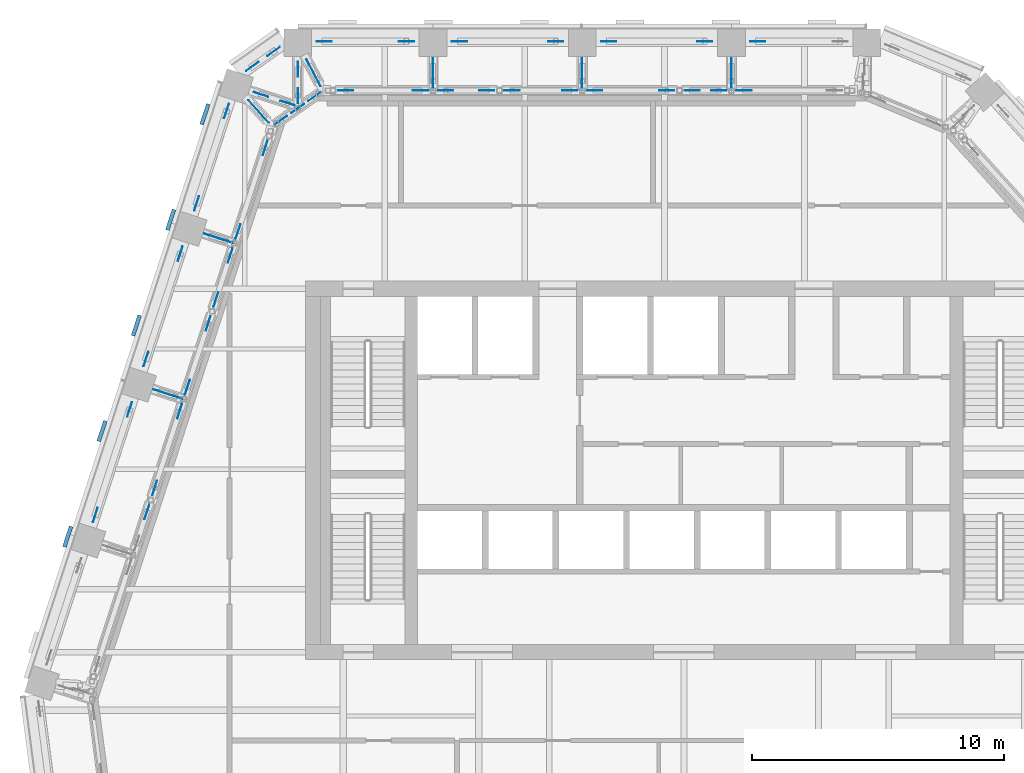
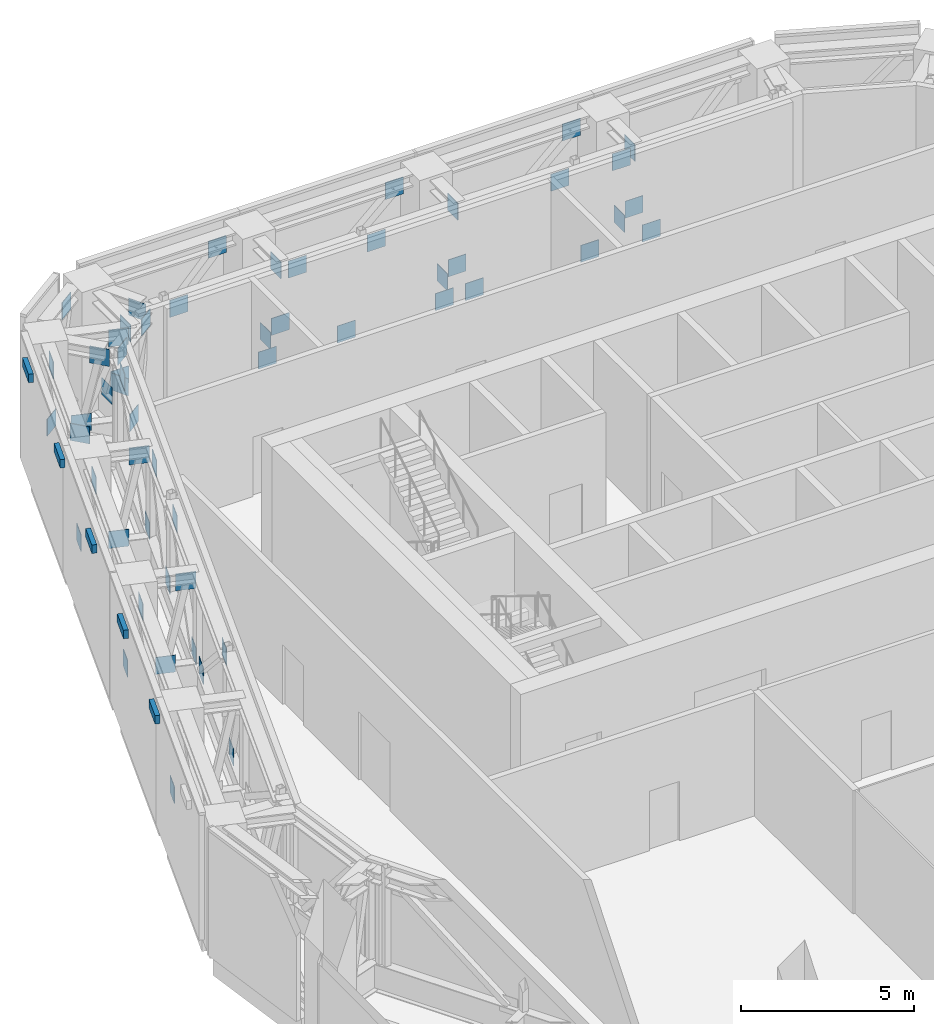
# One storey, part 22 of 25: 61 discrete accessories.
"""IFC4 building model written with IfcOpenShell, lengths in metres."""

from ifc_helpers import new_model, si_unit, direction, frame, origin, origin_2d, place, context, subcontext, project, spatial, rectangle, extrude, material, type_object, element, save


model = new_model("IFC4")

# Units and contexts
model_context = context("Model", 3, precision=1e-05, world=origin(), true_north=direction((0.0, 1.0)))
body_context = subcontext(model_context, "Body", "Model", "MODEL_VIEW")
ifc_project = project(units=[si_unit("LENGTHUNIT", "METRE"), si_unit("AREAUNIT", "SQUARE_METRE"), si_unit("VOLUMEUNIT", "CUBIC_METRE"), si_unit("PLANEANGLEUNIT", "RADIAN"), si_unit("MASSUNIT", "GRAM", prefix="KILO")], contexts=[model_context])

# Site, building, storey
site_placement = place(None, origin())
site = spatial("IfcSite", under=ifc_project, at=site_placement, CompositionType="ELEMENT")
building_placement = place(site_placement, origin())
building = spatial("IfcBuilding", under=site, at=building_placement, Name="Isthmus Gate Tower", CompositionType="ELEMENT")
storey_placement = place(building_placement, frame((0.0, 0.0, 256.449951171875)))
storey = spatial("IfcBuildingStorey", under=building, at=storey_placement, Name="L65", CompositionType="ELEMENT", Elevation=256.449951171875)

# Discrete accessories
ifc_material_1 = material(Name="Structural steel ASTM A572 Gr 50, white paint system", Category="steel")
discrete_accessory_type_1 = type_object("IfcDiscreteAccessoryType", Name="FIN BRACKET 855 X 150 X 300", PredefinedType="BRACKET", material=ifc_material_1)
for number, where, z_axis, x_axis, name in (
    (1, (-18.978759765625, 21.61328125, 3.9501953125), (0.0, 0.0, 1.0), (-0.951056516295, 0.309016994375, 0.0), "FIN BRACKET"),
    (2, (-20.33837890625, 17.4287109375, 3.9501953125), (0.0, 0.0, 1.0), (-0.951056516295, 0.309016994375, 0.0), "FIN BRACKET"),
    (3, (-21.697998046875, 13.243896484375, 3.9501953125), (0.0, 0.0, 1.0), (-0.951056516295, 0.309016994375, 0.0), "FIN BRACKET"),
    (4, (-23.0576171875, 9.059326171875, 3.9501953125), (0.0, 0.0, 1.0), (-0.951056516295, 0.309016994375, 0.0), "FIN BRACKET"),
    (5, (-24.41748046875, 4.874755859375, 3.9501953125), (0.0, 0.0, 1.0), (-0.951056516295, 0.309016994375, 0.0), "FIN BRACKET"),
):
    element("IfcDiscreteAccessory", number, at=place(storey_placement, frame(where, z_axis=z_axis, x_axis=x_axis)), inside=storey, type_object=discrete_accessory_type_1, Name=name, PredefinedType="BRACKET", context=body_context, shape_type="SweptSolid", body=[
        extrude(rectangle(XDim=0.14990234375, YDim=0.854736328125, at=origin_2d()), origin(), (0.0, 0.0, 1.0), 0.300048828125),
    ])
ifc_material_2 = material(Name="Structural steel ASTM A992 Gr 50", Category="steel")
discrete_accessory_type_2 = type_object("IfcDiscreteAccessoryType", Name="GUSSET PLATE 600 X 20", PredefinedType="USERDEFINED", material=ifc_material_2)
for number, where, z_axis, x_axis, name in (
    (6, (-23.322509765625, 5.736572265625, 0.14453125), (0.0, 0.0, 1.0), (0.309016994375, 0.951056516295, 0.0), "GUSSET PLATE"),
    (7, (-21.96533203125, 9.91357421875, 3.60546875), (0.0, 0.0, 1.0), (0.309016994375, 0.951056516295, 0.0), "GUSSET PLATE"),
    (8, (-21.31640625, 11.91064453125, 0.14453125), (0.0, 0.0, 1.0), (0.309016994375, 0.951056516295, 0.0), "GUSSET PLATE"),
    (9, (-19.959228515625, 16.087646484375, 3.60546875), (0.0, 0.0, 1.0), (0.309016994375, 0.951056516295, 0.0), "GUSSET PLATE"),
    (10, (-19.310302734375, 18.0849609375, 0.14453125), (0.0, 0.0, 1.0), (0.309016994375, 0.951056516295, 0.0), "GUSSET PLATE"),
    (11, (-18.123046875, 21.73876953125, 3.60546875), (0.0, 0.0, 1.0), (0.309016994375, 0.951056516295, 0.0), "GUSSET PLATE"),
    (12, (-17.100830078125, 23.509521484375, 0.14453125), (0.0, 0.0, 1.0), (0.81785959165, 0.57541783805, 0.0), "GUSSET PLATE"),
    (13, (-16.26025390625, 24.100830078125, 3.60546875), (0.0, 0.0, 1.0), (0.81785959165, 0.57541783805, 0.0), "GUSSET PLATE"),
    (14, (-14.251220703125, 24.5, 0.14453125), (0.0, 0.0, 1.0), (1.0, 0.0, 0.0), "GUSSET PLATE"),
    (15, (-10.99072265625, 24.5, 3.60546875), (0.0, 0.0, 1.0), (1.0, 0.0, 0.0), "GUSSET PLATE"),
    (16, (-8.890625, 24.5, 0.14453125), (0.0, 0.0, 1.0), (1.0, 0.0, 0.0), "GUSSET PLATE"),
    (17, (-5.080078125, 24.5, 3.60546875), (0.0, 0.0, 1.0), (1.0, 0.0, 0.0), "GUSSET PLATE"),
    (18, (-2.97998046875, 24.5, 0.14453125), (0.0, 0.0, 1.0), (1.0, 0.0, 0.0), "GUSSET PLATE"),
    (19, (0.83056640625, 24.5, 3.60546875), (0.0, 0.0, 1.0), (1.0, 0.0, 0.0), "GUSSET PLATE"),
    (20, (2.930419921875, 24.5, 0.14453125), (0.0, 0.0, 1.0), (1.0, 0.0, 0.0), "GUSSET PLATE"),
    (21, (1.880615234375, 23.52490234375, 0.68115234375), (0.0, 0.0, 1.0), (0.0, -1.0, 0.0), "GUSSET PLATE"),
    (22, (1.880615234375, 22.925048828125, 3.543701171875), (0.0, 0.0, 1.0), (0.0, -1.0, 0.0), "GUSSET PLATE"),
    (23, (-4.030029296875, 23.52490234375, 0.68115234375), (0.0, 0.0, 1.0), (0.0, -1.0, 0.0), "GUSSET PLATE"),
    (24, (-4.030029296875, 22.925048828125, 3.543701171875), (0.0, 0.0, 1.0), (0.0, -1.0, 0.0), "GUSSET PLATE"),
    (25, (-9.940673828125, 23.52490234375, 0.68115234375), (0.0, 0.0, 1.0), (0.0, -1.0, 0.0), "GUSSET PLATE"),
    (26, (-9.940673828125, 22.925048828125, 3.543701171875), (0.0, 0.0, 1.0), (0.0, -1.0, 0.0), "GUSSET PLATE"),
    (27, (-15.30126953125, 23.39990234375, 0.68115234375), (0.0, 0.0, 1.0), (0.0, -1.0, 0.0), "GUSSET PLATE"),
    (28, (-15.30126953125, 22.3466796875, 3.543701171875), (0.0, 0.0, 1.0), (0.0, -1.0, 0.0), "GUSSET PLATE"),
    (29, (-16.75244140625, 22.3974609375, 0.68115234375), (0.0, 0.0, 1.0), (0.951056516295, -0.309016994375, 0.0), "GUSSET PLATE"),
    (30, (-15.69970703125, 22.055419921875, 3.543701171875), (0.0, 0.0, 1.0), (0.951056516295, -0.309016994375, 0.0), "GUSSET PLATE"),
    (31, (-18.728271484375, 16.791748046875, 0.68115234375), (0.0, 0.0, 1.0), (0.951056516295, -0.309016994375, 0.0), "GUSSET PLATE"),
    (32, (-18.15771484375, 16.6064453125, 3.543701171875), (0.0, 0.0, 1.0), (0.951056516295, -0.309016994375, 0.0), "GUSSET PLATE"),
    (33, (-20.734375, 10.61767578125, 0.68115234375), (0.0, 0.0, 1.0), (0.951056516295, -0.309016994375, 0.0), "GUSSET PLATE"),
    (34, (-20.163818359375, 10.43212890625, 3.543701171875), (0.0, 0.0, 1.0), (0.951056516295, -0.309016994375, 0.0), "GUSSET PLATE"),
    (35, (-17.050048828125, 21.946044921875, 0.68115234375), (0.0, 0.0, 1.0), (0.670464535647, -0.741941578859, 0.0), "GUSSET PLATE"),
    (36, (-16.647705078125, 21.5009765625, 3.543701171875), (0.0, 0.0, 1.0), (0.670464535647, -0.741941578859, 0.0), "GUSSET PLATE"),
    (37, (-14.813232421875, 23.522216796875, 0.68115234375), (0.0, 0.0, 1.0), (0.465590410912, -0.88500032162, 0.0), "GUSSET PLATE"),
    (38, (-14.53369140625, 22.9912109375, 3.543701171875), (0.0, 0.0, 1.0), (0.465590410912, -0.88500032162, 0.0), "GUSSET PLATE"),
    (39, (-21.279541015625, 5.85546875, 0.68115234375), (0.0, 0.0, 1.0), (-0.309016994375, -0.951056516295, 0.0), "GUSSET PLATE"),
    (40, (-19.982421875, 9.84716796875, 0.68115234375), (0.0, 0.0, 1.0), (-0.309016994375, -0.951056516295, 0.0), "GUSSET PLATE"),
    (41, (-20.970458984375, 6.806640625, 3.543701171875), (0.0, 0.0, 1.0), (-0.309016994375, -0.951056516295, 0.0), "GUSSET PLATE"),
    (42, (-19.673583984375, 10.798095703125, 0.68115234375), (0.0, 0.0, 1.0), (0.309016994375, 0.951056516295, 0.0), "GUSSET PLATE"),
    (43, (-18.8515625, 13.327880859375, 3.543701171875), (0.0, 0.0, 1.0), (0.309016994375, 0.951056516295, 0.0), "GUSSET PLATE"),
    (44, (-18.54248046875, 14.279052734375, 0.68115234375), (0.0, 0.0, 1.0), (0.309016994375, 0.951056516295, 0.0), "GUSSET PLATE"),
    (45, (-17.976318359375, 16.021240234375, 3.543701171875), (0.0, 0.0, 1.0), (0.309016994375, 0.951056516295, 0.0), "GUSSET PLATE"),
    (46, (-17.667236328125, 16.972412109375, 0.68115234375), (0.0, 0.0, 1.0), (0.309016994375, 0.951056516295, 0.0), "GUSSET PLATE"),
    (47, (-16.593505859375, 20.27734375, 3.543701171875), (0.0, 0.0, 1.0), (0.309016994375, 0.951056516295, 0.0), "GUSSET PLATE"),
    (48, (-15.304931640625, 21.84423828125, 0.68115234375), (0.0, 0.0, 1.0), (-0.81785959165, -0.57541783805, 0.0), "GUSSET PLATE"),
    (49, (-15.971923828125, 21.375, 3.543701171875), (0.0, 0.0, 1.0), (-0.81785959165, -0.57541783805, 0.0), "GUSSET PLATE"),
    (50, (-14.637939453125, 22.3134765625, 3.543701171875), (0.0, 0.0, 1.0), (0.81785959165, 0.57541783805, 0.0), "GUSSET PLATE"),
    (51, (-10.440673828125, 22.550048828125, 0.68115234375), (0.0, 0.0, 1.0), (-1.0, 0.0, 0.0), "GUSSET PLATE"),
    (52, (-13.401611328125, 22.550048828125, 3.543701171875), (0.0, 0.0, 1.0), (-1.0, 0.0, 0.0), "GUSSET PLATE"),
    (53, (-7.809814453125, 22.550048828125, 0.68115234375), (0.0, 0.0, 1.0), (-1.0, 0.0, 0.0), "GUSSET PLATE"),
    (54, (-9.440673828125, 22.550048828125, 3.543701171875), (0.0, 0.0, 1.0), (-1.0, 0.0, 0.0), "GUSSET PLATE"),
    (55, (-4.52978515625, 22.550048828125, 0.68115234375), (0.0, 0.0, 1.0), (-1.0, 0.0, 0.0), "GUSSET PLATE"),
    (56, (-6.809814453125, 22.550048828125, 3.543701171875), (0.0, 0.0, 1.0), (-1.0, 0.0, 0.0), "GUSSET PLATE"),
    (57, (-3.52978515625, 22.550048828125, 0.68115234375), (0.0, 0.0, 1.0), (1.0, 0.0, 0.0), "GUSSET PLATE"),
    (58, (-0.6748046875, 22.550048828125, 3.543701171875), (0.0, 0.0, 1.0), (1.0, 0.0, 0.0), "GUSSET PLATE"),
    (59, (0.3251953125, 22.550048828125, 0.68115234375), (0.0, 0.0, 1.0), (1.0, 0.0, 0.0), "GUSSET PLATE"),
    (60, (1.38037109375, 22.550048828125, 3.543701171875), (0.0, 0.0, 1.0), (1.0, 0.0, 0.0), "GUSSET PLATE"),
    (61, (2.38037109375, 22.550048828125, 0.68115234375), (0.0, 0.0, 1.0), (1.0, 0.0, 0.0), "GUSSET PLATE"),
):
    element("IfcDiscreteAccessory", number, at=place(storey_placement, frame(where, z_axis=z_axis, x_axis=x_axis)), inside=storey, type_object=discrete_accessory_type_2, Name=name, ObjectType="GUSSET PLATE", PredefinedType="USERDEFINED", context=body_context, shape_type="SweptSolid", body=[
        extrude(rectangle(XDim=0.60009765625, YDim=0.02001953125, at=origin_2d()), origin(), (0.0, 0.0, 1.0), 0.60009765625),
    ])

save(model, "model.ifc")
